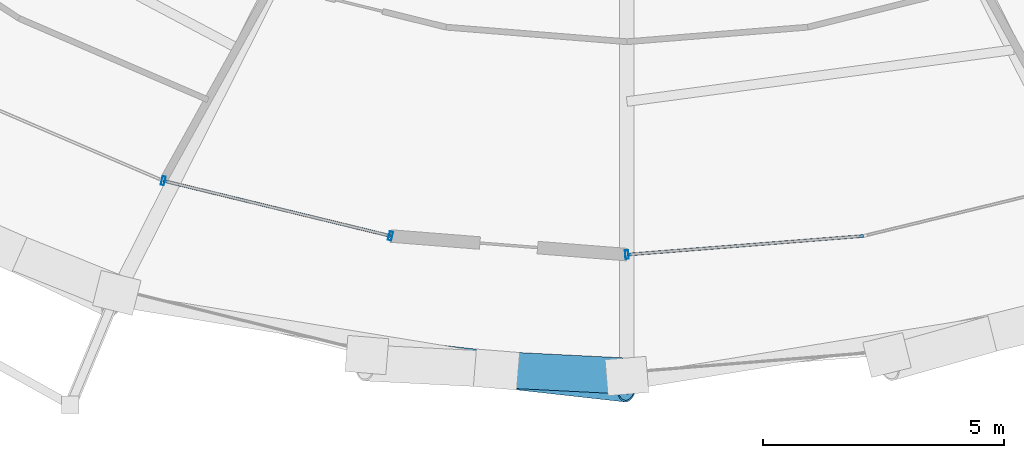
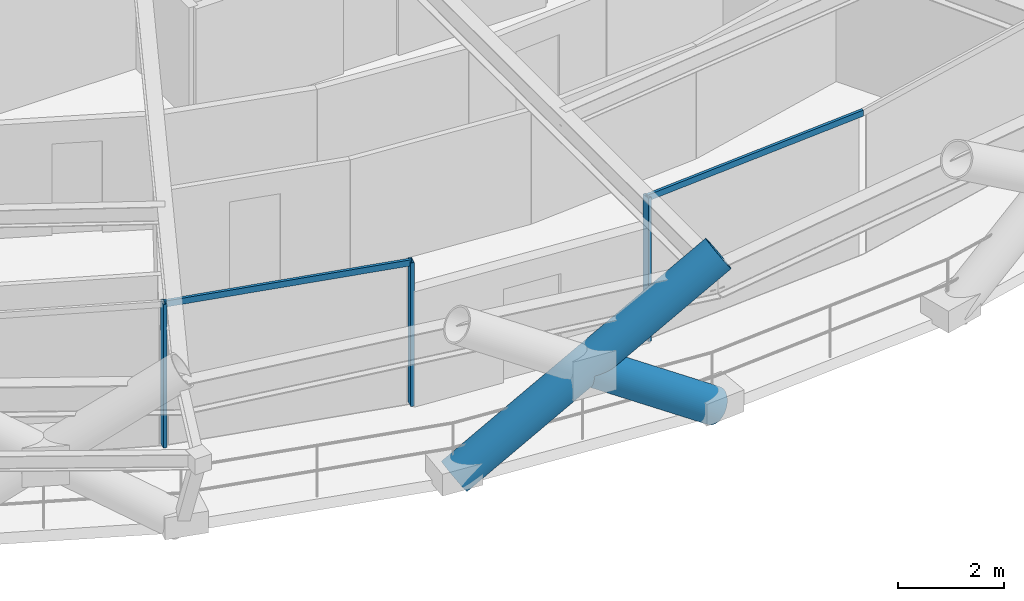
# One storey, part 4 of 19: 7 members, 2 elements without a shape of their own.
"""IFC4 building model written with IfcOpenShell, lengths in metres."""

from ifc_helpers import new_model, si_unit, direction, frame, origin, origin_2d, place, context, subcontext, project, spatial, hollow_rectangle, hollow_circle, extrude, material, layer, layer_set, material_profile, profile_set, type_object, element, aggregate, save


model = new_model("IFC4")

# Units and contexts
model_context = context("Model", 3, precision=1e-05, world=origin(), true_north=direction((0.0, 1.0)))
body_context = subcontext(model_context, "Body", "Model", "MODEL_VIEW")
ifc_project = project(units=[si_unit("LENGTHUNIT", "METRE"), si_unit("AREAUNIT", "SQUARE_METRE"), si_unit("VOLUMEUNIT", "CUBIC_METRE"), si_unit("PLANEANGLEUNIT", "RADIAN"), si_unit("MASSUNIT", "GRAM", prefix="KILO")], contexts=[model_context])

# Site, building, storey
site_placement = place(None, origin())
site = spatial("IfcSite", under=ifc_project, at=site_placement, CompositionType="ELEMENT")
building_placement = place(site_placement, origin())
building = spatial("IfcBuilding", under=site, at=building_placement, Name="Veldorina Hangang Commons", CompositionType="ELEMENT")
storey_placement = place(building_placement, frame((0.0, 0.0, 34.0)))
storey = spatial("IfcBuildingStorey", under=building, at=storey_placement, Name="L07", CompositionType="ELEMENT", Elevation=34.0)

# Curtain wall, members
ifc_material_1 = material(Name="Glass Low-E Triple IGU", Category="glass")
ifc_layer = layer(ifc_material_1, 0.179931640625)
ifc_layer_set = layer_set([ifc_layer], Name="Glass Low-E Triple IGU")
curtain_wall_type = type_object("IfcCurtainWallType", Name="CW-SYS-Z1", PredefinedType="NOTDEFINED", material=ifc_layer_set)
curtain_wall_1_placement = place(storey_placement, origin())
curtain_wall_1 = element("IfcCurtainWall", 1, at=curtain_wall_1_placement, inside=storey, type_object=curtain_wall_type, Name="L07 unitised curtain wall CW-L07-R1", PredefinedType="NOTDEFINED")
ifc_material_2 = material(Name="Aluminium Anodized AA6063-T6", Category="aluminium")
ifc_material_profile_1 = material_profile(ifc_material_2, hollow_rectangle(XDim=0.070068359375, YDim=0.179931640625, WallThickness=0.00390625, at=origin_2d()), Name="ALU-RHS-180x70x4")
ifc_profile_set_1 = profile_set([ifc_material_profile_1], Name="Aluminium Anodized AA6063-T6")
member_type_1 = type_object("IfcMemberType", Name="CW-MUL-180", PredefinedType="MULLION", material=ifc_profile_set_1)
member_1_placement = place(storey_placement, frame((22.376220703125, 5.3857421875, 0.0), z_axis=(0.0, 0.0, 1.0), x_axis=(0.971710105527, -0.236176778742, 0.0)))
member_1 = element("IfcMember", 2, at=member_1_placement, type_object=member_type_1, Name="CW-L07-R1 vertical mullion 4", PredefinedType="MULLION", context=body_context, shape_type="SweptSolid", body=[
    extrude(hollow_rectangle(XDim=0.070068359375, YDim=0.179931640625, WallThickness=0.00390625, at=origin_2d()), origin(), (0.0, 0.0, 1.0), 3.300048828125),
])
member_2_placement = place(storey_placement, frame((27.093994140625, 4.2392578125, 0.0), z_axis=(0.0, 0.0, 1.0), x_axis=(-0.971710105527, 0.236176778742, 0.0)))
member_2 = element("IfcMember", 3, at=member_2_placement, type_object=member_type_1, Name="CW-L07-R1 vertical mullion 5", PredefinedType="MULLION", context=body_context, shape_type="SweptSolid", body=[
    extrude(hollow_rectangle(XDim=0.070068359375, YDim=0.179931640625, WallThickness=0.00390625, at=origin_2d()), origin(), (0.0, 0.0, 1.0), 3.300048828125),
])

# Curtain wall, member
curtain_wall_2_placement = place(storey_placement, origin())
curtain_wall_2 = element("IfcCurtainWall", 4, at=curtain_wall_2_placement, inside=storey, type_object=curtain_wall_type, Name="L07 unitised curtain wall CW-L07-R2", PredefinedType="NOTDEFINED")
member_3_placement = place(storey_placement, frame((32.0, 3.85205078125, 0.0), z_axis=(0.0, 0.0, 1.0), x_axis=(0.996902252296, 0.078650488669, 0.0)))
member_3 = element("IfcMember", 5, at=member_3_placement, type_object=member_type_1, Name="CW-L07-R2 vertical mullion 1", PredefinedType="MULLION", context=body_context, shape_type="SweptSolid", body=[
    extrude(hollow_rectangle(XDim=0.070068359375, YDim=0.179931640625, WallThickness=0.00390625, at=origin_2d()), origin(), (0.0, 0.0, 1.0), 3.300048828125),
])

# Member
ifc_material_profile_2 = material_profile(ifc_material_2, hollow_rectangle(XDim=0.06005859375, YDim=0.139892578125, WallThickness=0.00341796875, at=origin_2d()), Name="ALU-RHS-140x60x3.5")
ifc_profile_set_2 = profile_set([ifc_material_profile_2], Name="Aluminium Anodized AA6063-T6")
member_type_2 = type_object("IfcMemberType", Name="CW-TRN-140", PredefinedType="USERDEFINED", material=ifc_profile_set_2)
member_4_placement = place(storey_placement, frame((22.376220703125, 5.3857421875, 3.260009765625), z_axis=(0.971718767639, -0.236141137075, 0.0), x_axis=(0.236141137075, 0.971718767639, 0.0)))
member_4 = element("IfcMember", 6, at=member_4_placement, type_object=member_type_2, Name="CW-L07-R1 facet 4 transom 1", ObjectType="TRANSOM", PredefinedType="USERDEFINED", context=body_context, shape_type="SweptSolid", body=[
    extrude(hollow_rectangle(XDim=0.06005859375, YDim=0.139892578125, WallThickness=0.00341796875, at=origin_2d()), origin(), (0.0, 0.0, 1.0), 4.85498046875),
])

aggregate(curtain_wall_1, [member_1, member_2, member_4])

member_5_placement = place(storey_placement, frame((32.0, 3.85205078125, 3.260009765625), z_axis=(0.996899889687, 0.078680429213, 0.0), x_axis=(-0.078680429213, 0.996899889687, 0.0)))
member_5 = element("IfcMember", 7, at=member_5_placement, type_object=member_type_2, Name="CW-L07-R2 facet 1 transom 1", ObjectType="TRANSOM", PredefinedType="USERDEFINED", context=body_context, shape_type="SweptSolid", body=[
    extrude(hollow_rectangle(XDim=0.06005859375, YDim=0.139892578125, WallThickness=0.00341796875, at=origin_2d()), origin(), (0.0, 0.0, 1.0), 4.921142578125),
])

aggregate(curtain_wall_2, [member_3, member_5])

# Members
ifc_material_3 = material(Name="Steel SM460-TMC", Category="steel")
ifc_material_profile_3 = material_profile(ifc_material_3, hollow_circle(Radius=0.375, WallThickness=0.035888671875, at=origin_2d()), Name="CHS-750x36")
ifc_profile_set_3 = profile_set([ifc_material_profile_3], Name="Steel SM460-TMC")
member_type_3 = type_object("IfcMemberType", Name="DG-CHS750", PredefinedType="BRACE", material=ifc_profile_set_3)
member_6_placement = place(storey_placement, frame((26.602294921875, 1.767578125, 0.0), z_axis=(0.828384390411, -0.092284171766, 0.552506048261), x_axis=(0.110717681692, 0.993851897901, 0.0)))
element("IfcMember", 8, at=member_6_placement, inside=storey, type_object=member_type_3, Name="L07 continuous perimeter diagrid brace 23", PredefinedType="BRACE", context=body_context, shape_type="SweptSolid", body=[
    extrude(hollow_circle(Radius=0.375, WallThickness=0.035888671875, at=origin_2d()), origin(), (0.0, 0.0, 1.0), 6.515869140625),
])
member_7_placement = place(storey_placement, frame((32.0, 1.33203125, 0.0), z_axis=(-0.832717375708, 0.041834903785, 0.552115579402), x_axis=(-0.050175737822, -0.998740404376, 0.0)))
element("IfcMember", 9, at=member_7_placement, inside=storey, type_object=member_type_3, Name="L07 split perimeter diagrid lower brace 24", PredefinedType="BRACE", context=body_context, shape_type="SweptSolid", body=[
    extrude(hollow_circle(Radius=0.375, WallThickness=0.035888671875, at=origin_2d()), origin(), (0.0, 0.0, 1.0), 3.25048828125),
])

save(model, "model.ifc")
